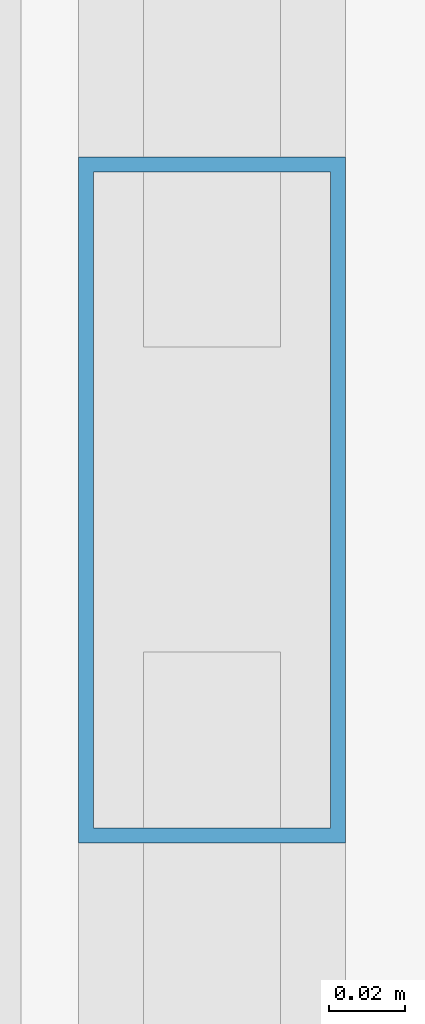
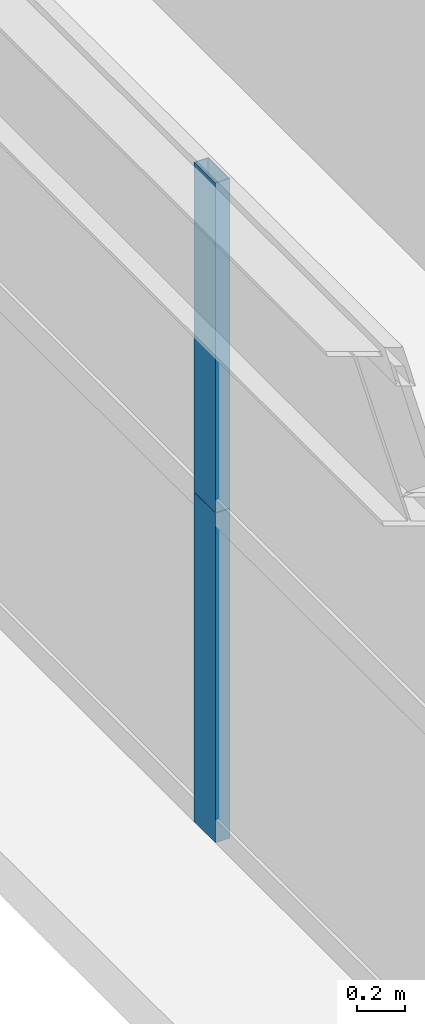
# One storey, part 21 of 39: 2 members, 1 element without a shape of its own.
"""IFC4 building model written with IfcOpenShell, lengths in metres."""

from ifc_helpers import new_model, si_unit, direction, frame, origin, origin_2d, place, context, subcontext, project, spatial, hollow_rectangle, extrude, source, transform, mapped, material, layer, layer_set, material_profile, profile_set, type_object, element, aggregate, save


model = new_model("IFC4")

# Units and contexts
model_context = context("Model", 3, precision=1e-05, world=origin(), true_north=direction((0.0, 1.0)))
body_context = subcontext(model_context, "Body", "Model", "MODEL_VIEW")
ifc_project = project(units=[si_unit("LENGTHUNIT", "METRE"), si_unit("AREAUNIT", "SQUARE_METRE"), si_unit("VOLUMEUNIT", "CUBIC_METRE"), si_unit("PLANEANGLEUNIT", "RADIAN"), si_unit("MASSUNIT", "GRAM", prefix="KILO"), si_unit("THERMODYNAMICTEMPERATUREUNIT", "KELVIN"), si_unit("POWERUNIT", "WATT")], contexts=[model_context])

# Site, building, storey
site_placement = place(None, origin())
site = spatial("IfcSite", under=ifc_project, at=site_placement, CompositionType="ELEMENT")
building_placement = place(site_placement, origin())
building = spatial("IfcBuilding", under=site, at=building_placement, Name="Yuzanri Waterfront Tower", CompositionType="ELEMENT")
storey_placement = place(building_placement, frame((0.0, 0.0, 148.800048828125)))
storey = spatial("IfcBuildingStorey", under=building, at=storey_placement, Name="L39", CompositionType="ELEMENT", Elevation=148.800048828125)

# Curtain wall, members
ifc_material_1 = material(Name="Anodized Architectural Bronze", Category="metal")
ifc_layer = layer(ifc_material_1, 0.159912109375)
ifc_layer_set = layer_set([ifc_layer], Name="Anodized Architectural Bronze")
curtain_wall_type = type_object("IfcCurtainWallType", Name="Anodized Bronze Hotel Upper-Tier Solar-Control Unitized Curtain Wall 7800", PredefinedType="NOTDEFINED", material=ifc_layer_set)
curtain_wall_placement = place(storey_placement, origin())
curtain_wall = element("IfcCurtainWall", 1, at=curtain_wall_placement, inside=storey, type_object=curtain_wall_type, Name="L39 Curtain Wall CW-L39-WR", PredefinedType="NOTDEFINED")
ifc_material_2 = material(Name="Anodized Architectural Bronze", Category="metal")
ifc_material_profile = material_profile(ifc_material_2, hollow_rectangle(XDim=0.070068359375, YDim=0.179931640625, WallThickness=0.00390625, at=origin_2d()), Name="CWM 70x180")
ifc_profile_set = profile_set([ifc_material_profile], Name="Anodized Architectural Bronze")
member_type = type_object("IfcMemberType", Name="Anodized Bronze Standard Curtain-Wall Mullion 70x180", PredefinedType="MULLION", material=ifc_profile_set)
shared_shape = source(origin(), body_context, "Body", "SweptSolid", [
    extrude(hollow_rectangle(XDim=0.070068359375, YDim=0.179931640625, WallThickness=0.00390625, at=origin_2d()), origin(), (0.0, 0.0, 1.0), 1.68798828125),
])
member_1_placement = place(storey_placement, frame((13.550048828125, 34.14990234375, 0.0), z_axis=(0.0, 0.0, 1.0), x_axis=(1.0, 0.0, 0.0)))
member_1 = element("IfcMember", 2, at=member_1_placement, type_object=member_type, Name="CW-L39-WR Lower Mullion 01", PredefinedType="MULLION", context=body_context, shape_type="MappedRepresentation", body=[
    mapped(shared_shape, transform((0.0, 0.0, 0.0), scale=1.0)),
])
member_2_placement = place(storey_placement, frame((13.550048828125, 34.14990234375, 1.69189453125), z_axis=(0.0, 0.0, 1.0), x_axis=(1.0, 0.0, 0.0)))
member_2 = element("IfcMember", 3, at=member_2_placement, type_object=member_type, Name="CW-L39-WR Upper Mullion 01", PredefinedType="MULLION", context=body_context, shape_type="MappedRepresentation", body=[
    mapped(shared_shape, transform((0.0, 0.0, 0.0), scale=1.0)),
])
aggregate(curtain_wall, [member_1, member_2])

save(model, "model.ifc")
